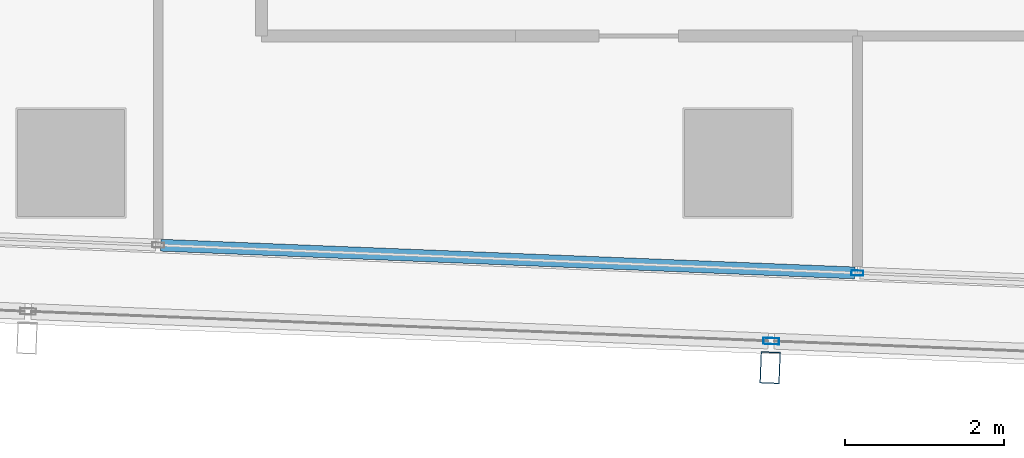
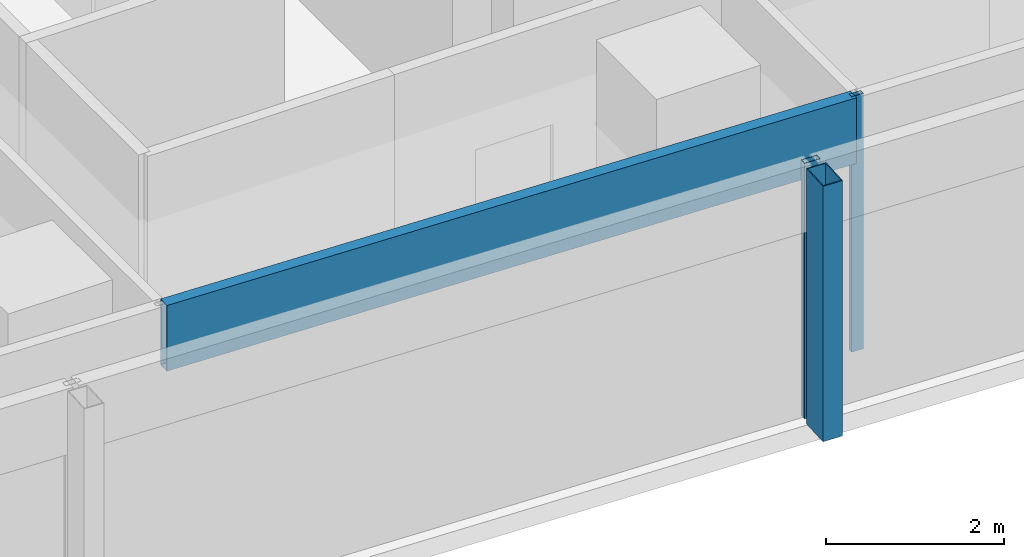
# One storey, part 6 of 38: 4 members, 2 elements without a shape of their own.
"""IFC4 building model written with IfcOpenShell, lengths in metres."""

from ifc_helpers import new_model, si_unit, direction, frame, origin, origin_2d, place, context, subcontext, project, spatial, hollow_rectangle, extrude, material, material_profile, profile_set, type_object, element, aggregate, save


model = new_model("IFC4")

# Units and contexts
model_context = context("Model", 3, precision=1e-05, world=origin(), true_north=direction((0.0, 1.0)))
body_context = subcontext(model_context, "Body", "Model", "MODEL_VIEW")
ifc_project = project(units=[si_unit("LENGTHUNIT", "METRE"), si_unit("AREAUNIT", "SQUARE_METRE"), si_unit("VOLUMEUNIT", "CUBIC_METRE"), si_unit("PLANEANGLEUNIT", "RADIAN"), si_unit("MASSUNIT", "GRAM", prefix="KILO")], contexts=[model_context])

# Site, building, storey
site_placement = place(None, origin())
site = spatial("IfcSite", under=ifc_project, at=site_placement, CompositionType="ELEMENT")
building_placement = place(site_placement, origin())
building = spatial("IfcBuilding", under=site, at=building_placement, Name="Rekha Terrace Tower", CompositionType="ELEMENT")
storey_placement = place(building_placement, frame((0.0, 0.0, 195.199951171875)))
storey = spatial("IfcBuildingStorey", under=building, at=storey_placement, Name="L49", CompositionType="ELEMENT", Elevation=195.199951171875)

# Curtain wall, member
ifc_material_1 = material(Name="Aluminium framing", Category="aluminium")
curtain_wall_type_1 = type_object("IfcCurtainWallType", Name="CW2 double skin outer glazing", PredefinedType="USERDEFINED", material=ifc_material_1)
curtain_wall_1_placement = place(storey_placement, origin())
curtain_wall_1 = element("IfcCurtainWall", 1, at=curtain_wall_1_placement, inside=storey, type_object=curtain_wall_type_1, Name="CW2 double skin outer glazing", ObjectType="DOUBLE SKIN OUTER GLAZING", PredefinedType="USERDEFINED")
ifc_material_2 = material(Name="Steel S355 with fluorocarbon finish", Category="steel")
ifc_material_profile_1 = material_profile(ifc_material_2, hollow_rectangle(XDim=0.25, YDim=0.39990234375, WallThickness=0.012451171875, at=origin_2d()), Name="RHS400x250x12.5")
ifc_profile_set_1 = profile_set([ifc_material_profile_1], Name="Steel S355 with fluorocarbon finish")
member_type_1 = type_object("IfcMemberType", Name="BL1 facade blade RHS 400 x 250", PredefinedType="USERDEFINED", material=ifc_profile_set_1)
member_1_placement = place(storey_placement, frame((25.60498046875, 14.222412109375, 0.0), z_axis=(0.0, 0.0, 1.0), x_axis=(0.999204797763, -0.039871946621, 0.0)))
member_1 = element("IfcMember", 2, at=member_1_placement, type_object=member_type_1, Name="Facade blade", ObjectType="FACADE BLADE", PredefinedType="USERDEFINED", context=body_context, shape_type="SweptSolid", body=[
    extrude(hollow_rectangle(XDim=0.25, YDim=0.39990234375, WallThickness=0.012451171875, at=origin_2d()), origin(), (0.0, 0.0, 1.0), 3.5),
])

# Curtain wall, members
curtain_wall_type_2 = type_object("IfcCurtainWallType", Name="CW1 double skin inner glazing", PredefinedType="USERDEFINED", material=ifc_material_1)
curtain_wall_2_placement = place(storey_placement, origin())
curtain_wall_2 = element("IfcCurtainWall", 3, at=curtain_wall_2_placement, inside=storey, type_object=curtain_wall_type_2, Name="CW1 double skin inner glazing", ObjectType="DOUBLE SKIN INNER GLAZING", PredefinedType="USERDEFINED")
ifc_material_3 = material(Name="Aluminium mullion section", Category="aluminium")
ifc_material_profile_2 = material_profile(ifc_material_3, hollow_rectangle(XDim=0.06494140625, YDim=0.14990234375, WallThickness=0.00390625, at=origin_2d()), Name="AL RHS 65x150")
ifc_profile_set_2 = profile_set([ifc_material_profile_2], Name="Aluminium mullion section")
member_type_2 = type_object("IfcMemberType", Name="CW1 mullion RHS 65 x 150", PredefinedType="MULLION", material=ifc_profile_set_2)
member_2_placement = place(storey_placement, frame((26.703369140625, 15.41455078125, 0.0), z_axis=(0.0, 0.0, 1.0), x_axis=(0.039872497061, 0.999204775798, 0.0)))
member_2 = element("IfcMember", 4, at=member_2_placement, type_object=member_type_2, Name="CW1 mullion 3", PredefinedType="MULLION", context=body_context, shape_type="SweptSolid", body=[
    extrude(hollow_rectangle(XDim=0.06494140625, YDim=0.14990234375, WallThickness=0.00390625, at=origin_2d()), origin(), (0.0, 0.0, 1.0), 3.5),
])
ifc_material_4 = material(Name="Insulated aluminium spandrel box", Category="aluminium")
ifc_material_profile_3 = material_profile(ifc_material_4, hollow_rectangle(XDim=0.14990234375, YDim=0.89990234375, WallThickness=0.0029296875, at=origin_2d()), Name="AL SPANDREL BOX 150x900")
ifc_profile_set_3 = profile_set([ifc_material_profile_3], Name="Insulated aluminium spandrel box")
member_type_3 = type_object("IfcMemberType", Name="CW1 spandrel transom 150 x 900", PredefinedType="USERDEFINED", material=ifc_profile_set_3)
member_3_placement = place(storey_placement, frame((17.931396484375, 15.7646484375, 3.050048828125), z_axis=(0.999205278064, -0.039859908291, 0.0), x_axis=(0.039859908291, 0.999205278064, 0.0)))
member_3 = element("IfcMember", 5, at=member_3_placement, type_object=member_type_3, Name="CW1 spandrel transom 2", ObjectType="TRANSOM", PredefinedType="USERDEFINED", context=body_context, shape_type="SweptSolid", body=[
    extrude(hollow_rectangle(XDim=0.14990234375, YDim=0.89990234375, WallThickness=0.0029296875, at=origin_2d()), origin(), (0.0, 0.0, 1.0), 8.746337890625),
])
aggregate(curtain_wall_2, [member_2, member_3])

# Member
ifc_material_profile_4 = material_profile(ifc_material_3, hollow_rectangle(XDim=0.080078125, YDim=0.199951171875, WallThickness=0.00390625, at=origin_2d()), Name="AL RHS 80x200")
ifc_profile_set_4 = profile_set([ifc_material_profile_4], Name="Aluminium mullion section")
member_type_4 = type_object("IfcMemberType", Name="CW2 mullion RHS 80 x 200", PredefinedType="MULLION", material=ifc_profile_set_4)
member_4_placement = place(storey_placement, frame((25.618408203125, 14.55712890625, 0.0), z_axis=(0.0, 0.0, 1.0), x_axis=(0.039872497044, 0.999204775799, 0.0)))
member_4 = element("IfcMember", 6, at=member_4_placement, type_object=member_type_4, Name="CW2 mullion 3", PredefinedType="MULLION", context=body_context, shape_type="SweptSolid", body=[
    extrude(hollow_rectangle(XDim=0.080078125, YDim=0.199951171875, WallThickness=0.00390625, at=origin_2d()), origin(), (0.0, 0.0, 1.0), 3.5),
])

aggregate(curtain_wall_1, [member_4, member_1])

save(model, "model.ifc")
